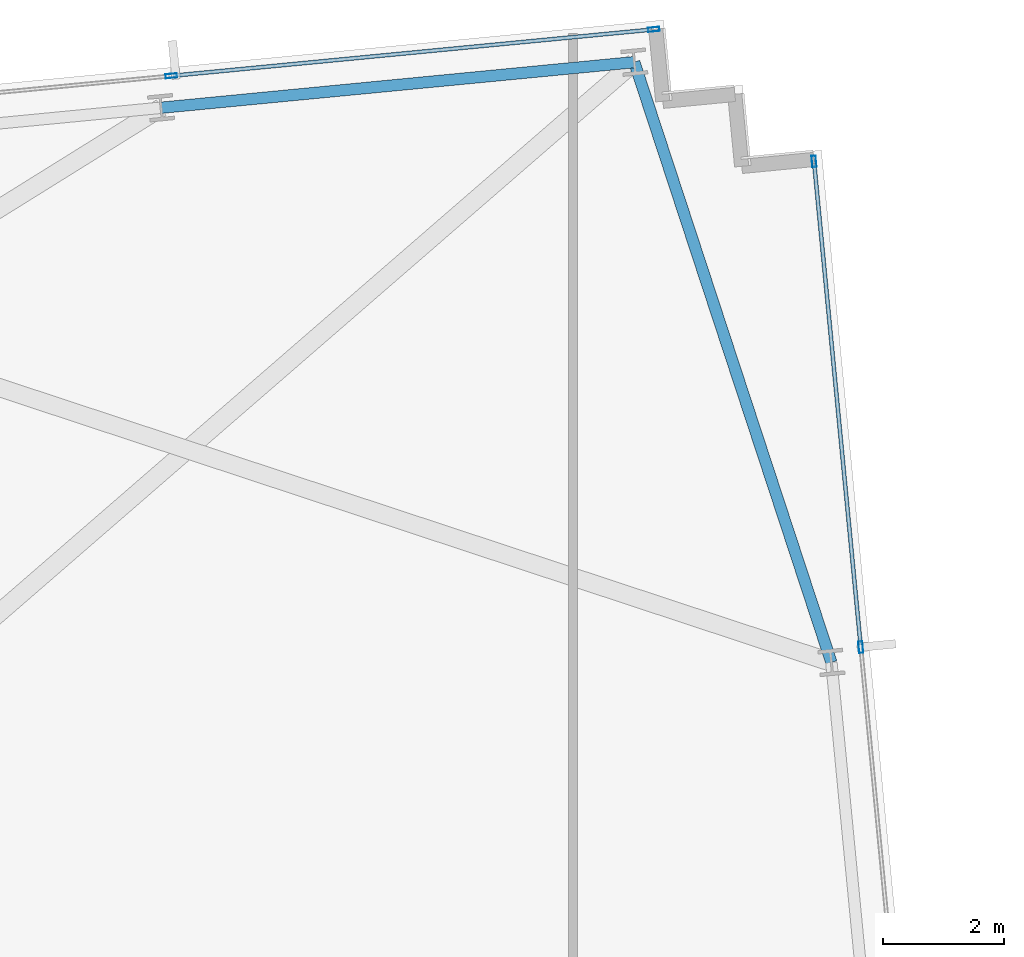
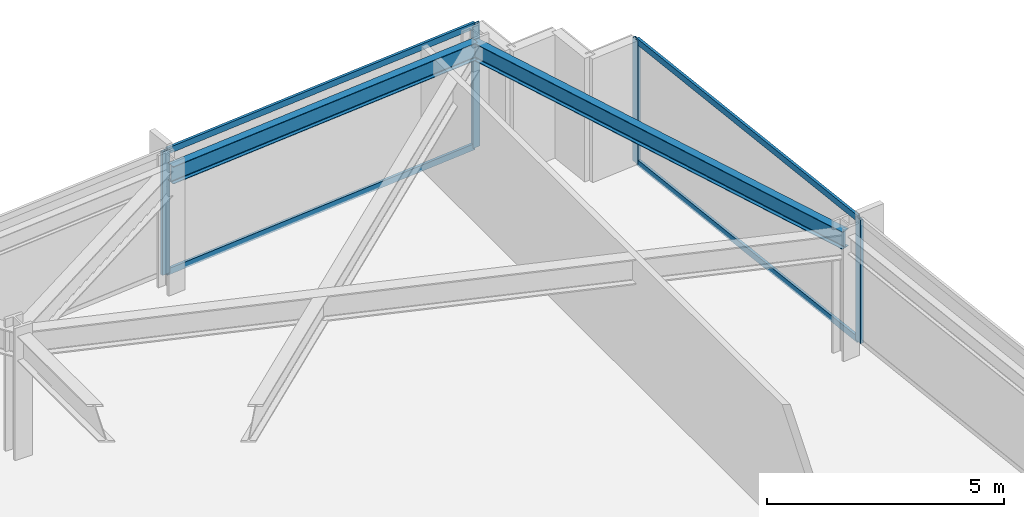
# One storey, part 23 of 33: 8 members, 2 beams, 2 elements without a shape of their own.
"""IFC4 building model written with IfcOpenShell, lengths in metres."""

from ifc_helpers import new_model, si_unit, direction, frame, origin, origin_2d, place, context, subcontext, project, spatial, hollow_rectangle, i_section, extrude, material, material_profile, profile_set, type_object, element, aggregate, save


model = new_model("IFC4")

# Units and contexts
model_context = context("Model", 3, precision=1e-05, world=origin(), true_north=direction((0.0, 1.0)))
body_context = subcontext(model_context, "Body", "Model", "MODEL_VIEW")
ifc_project = project(units=[si_unit("LENGTHUNIT", "METRE"), si_unit("AREAUNIT", "SQUARE_METRE"), si_unit("VOLUMEUNIT", "CUBIC_METRE"), si_unit("PLANEANGLEUNIT", "RADIAN"), si_unit("MASSUNIT", "GRAM", prefix="KILO")], contexts=[model_context])

# Site, building, storey
site_placement = place(None, origin())
site = spatial("IfcSite", under=ifc_project, at=site_placement, CompositionType="ELEMENT")
building_placement = place(site_placement, origin())
building = spatial("IfcBuilding", under=site, at=building_placement, Name="Yelkora Congress Tower", CompositionType="ELEMENT")
storey_placement = place(building_placement, frame((0.0, 0.0, 123.699951171875)))
storey = spatial("IfcBuildingStorey", under=building, at=storey_placement, Name="L33", CompositionType="ELEMENT", Elevation=123.699951171875)

# Beams
ifc_material_1 = material(Name="Steel S355J2", Category="steel")
ifc_material_profile_1 = material_profile(ifc_material_1, i_section(OverallWidth=0.18994140625, OverallDepth=0.449951171875, WebThickness=0.009521484375, FlangeThickness=0.0146484375, FilletRadius=0.02099609375, at=origin_2d()), Name="IPE 450")
ifc_profile_set_1 = profile_set([ifc_material_profile_1], Name="Steel S355J2")
beam_type = type_object("IfcBeamType", Name="BM-SPAN-IPE450", PredefinedType="SPANDREL", material=ifc_profile_set_1)
beam_1_placement = place(storey_placement, frame((74.522216796875, 40.610595703125, 2.955078125), z_axis=(-0.311961656523, 0.950094692575, 0.0), x_axis=(-0.950094692575, -0.311961656523, 0.0)))
element("IfcBeam", 1, at=beam_1_placement, inside=storey, type_object=beam_type, Name="L33 Perimeter Beam 13", PredefinedType="SPANDREL", context=body_context, shape_type="SweptSolid", body=[
    extrude(i_section(OverallWidth=0.18994140625, OverallDepth=0.449951171875, WebThickness=0.009521484375, FlangeThickness=0.0146484375, FilletRadius=0.02099609375, at=origin_2d()), origin(), (0.0, 0.0, 1.0), 10.48046875),
])
beam_2_placement = place(storey_placement, frame((71.252685546875, 50.568115234375, 2.955078125), z_axis=(-0.995392621281, -0.095882894719, 0.0), x_axis=(0.095882894719, -0.995392621281, 0.0)))
element("IfcBeam", 2, at=beam_2_placement, inside=storey, type_object=beam_type, Name="L33 Perimeter Beam 14", PredefinedType="SPANDREL", context=body_context, shape_type="SweptSolid", body=[
    extrude(i_section(OverallWidth=0.18994140625, OverallDepth=0.449951171875, WebThickness=0.009521484375, FlangeThickness=0.0146484375, FilletRadius=0.02099609375, at=origin_2d()), origin(), (0.0, 0.0, 1.0), 7.8857421875),
])

# Curtain wall, members
ifc_material_2 = material(Name="Anodised aluminium and insulated glass", Category="aluminium")
curtain_wall_type = type_object("IfcCurtainWallType", Name="CW-SYS-B2", PredefinedType="NOTDEFINED", material=ifc_material_2)
curtain_wall_1_placement = place(storey_placement, origin())
curtain_wall_1 = element("IfcCurtainWall", 3, at=curtain_wall_1_placement, inside=storey, type_object=curtain_wall_type, Name="L33 Unitised Curtain Wall 10 (3)", PredefinedType="NOTDEFINED")
ifc_material_3 = material(Name="Anodised aluminium 6063-T6", Category="aluminium")
ifc_material_profile_2 = material_profile(ifc_material_3, hollow_rectangle(XDim=0.070068359375, YDim=0.18994140625, WallThickness=0.00390625, at=origin_2d()), Name="ALU 70x190x4")
ifc_profile_set_2 = profile_set([ifc_material_profile_2], Name="Anodised aluminium 6063-T6")
member_type_1 = type_object("IfcMemberType", Name="MEM-ML-B2", PredefinedType="MULLION", material=ifc_profile_set_2)
member_1_placement = place(storey_placement, frame((63.572021484375, 50.3408203125, 0.0), z_axis=(0.0, 0.0, 1.0), x_axis=(-0.095844238468, 0.995396344153, 0.0)))
member_1 = element("IfcMember", 4, at=member_1_placement, type_object=member_type_1, Name="CW-B2 mullion 6", PredefinedType="MULLION", context=body_context, shape_type="SweptSolid", body=[
    extrude(hollow_rectangle(XDim=0.070068359375, YDim=0.18994140625, WallThickness=0.00390625, at=origin_2d()), origin(), (0.0, 0.0, 1.0), 3.179931640625),
])
member_2_placement = place(storey_placement, frame((71.5771484375, 51.111572265625, 0.0), z_axis=(0.0, 0.0, 1.0), x_axis=(-0.095844238468, 0.995396344153, 0.0)))
member_2 = element("IfcMember", 5, at=member_2_placement, type_object=member_type_1, Name="CW-B2 mullion 7", PredefinedType="MULLION", context=body_context, shape_type="SweptSolid", body=[
    extrude(hollow_rectangle(XDim=0.070068359375, YDim=0.18994140625, WallThickness=0.00390625, at=origin_2d()), origin(), (0.0, 0.0, 1.0), 3.179931640625),
])

curtain_wall_2_placement = place(storey_placement, origin())
curtain_wall_2 = element("IfcCurtainWall", 6, at=curtain_wall_2_placement, inside=storey, type_object=curtain_wall_type, Name="L33 Unitised Curtain Wall 15", PredefinedType="NOTDEFINED")
member_3_placement = place(storey_placement, frame((74.234375, 48.921142578125, 0.0), z_axis=(0.0, 0.0, 1.0), x_axis=(0.995396507508, 0.095842541913, 0.0)))
member_3 = element("IfcMember", 7, at=member_3_placement, type_object=member_type_1, Name="CW-B2 mullion 1", PredefinedType="MULLION", context=body_context, shape_type="SweptSolid", body=[
    extrude(hollow_rectangle(XDim=0.070068359375, YDim=0.18994140625, WallThickness=0.00390625, at=origin_2d()), origin(), (0.0, 0.0, 1.0), 3.179931640625),
])
member_4_placement = place(storey_placement, frame((75.010009765625, 40.863525390625, 0.0), z_axis=(0.0, 0.0, 1.0), x_axis=(0.995396507508, 0.095842541913, 0.0)))
member_4 = element("IfcMember", 8, at=member_4_placement, type_object=member_type_1, Name="CW-B2 mullion 2", PredefinedType="MULLION", context=body_context, shape_type="SweptSolid", body=[
    extrude(hollow_rectangle(XDim=0.070068359375, YDim=0.18994140625, WallThickness=0.00390625, at=origin_2d()), origin(), (0.0, 0.0, 1.0), 3.179931640625),
])

# Member
ifc_material_profile_3 = material_profile(ifc_material_3, hollow_rectangle(XDim=0.06494140625, YDim=0.159912109375, WallThickness=0.00390625, at=origin_2d()), Name="ALU 65x160x4")
ifc_profile_set_3 = profile_set([ifc_material_profile_3], Name="Anodised aluminium 6063-T6")
member_type_2 = type_object("IfcMemberType", Name="MEM-TR-B2", PredefinedType="USERDEFINED", material=ifc_profile_set_3)
member_5_placement = place(storey_placement, frame((63.606689453125, 50.343994140625, 0.032470703125), z_axis=(0.995395553311, 0.095852451448, 0.0), x_axis=(-0.095852451448, 0.995395553311, 0.0)))
member_5 = element("IfcMember", 9, at=member_5_placement, type_object=member_type_2, Name="CW-B2 transom 6.1", ObjectType="TRANSOM", PredefinedType="USERDEFINED", context=body_context, shape_type="SweptSolid", body=[
    extrude(hollow_rectangle(XDim=0.06494140625, YDim=0.159912109375, WallThickness=0.00390625, at=origin_2d()), origin(), (0.0, 0.0, 1.0), 7.97216796875),
])

member_6_placement = place(storey_placement, frame((63.606689453125, 50.343994140625, 3.1474609375), z_axis=(0.995395553311, 0.095852451448, 0.0), x_axis=(-0.095852451448, 0.995395553311, 0.0)))
member_6 = element("IfcMember", 10, at=member_6_placement, type_object=member_type_2, Name="CW-B2 transom 6.2", ObjectType="TRANSOM", PredefinedType="USERDEFINED", context=body_context, shape_type="SweptSolid", body=[
    extrude(hollow_rectangle(XDim=0.06494140625, YDim=0.159912109375, WallThickness=0.00390625, at=origin_2d()), origin(), (0.0, 0.0, 1.0), 7.97216796875),
])

aggregate(curtain_wall_1, [member_1, member_2, member_5, member_6])

member_7_placement = place(storey_placement, frame((74.237548828125, 48.88623046875, 0.032470703125), z_axis=(0.095861385662, -0.995394692943, 0.0), x_axis=(0.995394692943, 0.095861385662, 0.0)))
member_7 = element("IfcMember", 11, at=member_7_placement, type_object=member_type_2, Name="CW-B2 transom 1.1", ObjectType="TRANSOM", PredefinedType="USERDEFINED", context=body_context, shape_type="SweptSolid", body=[
    extrude(hollow_rectangle(XDim=0.06494140625, YDim=0.159912109375, WallThickness=0.00390625, at=origin_2d()), origin(), (0.0, 0.0, 1.0), 8.02490234375),
])

member_8_placement = place(storey_placement, frame((74.237548828125, 48.88623046875, 3.1474609375), z_axis=(0.095861385662, -0.995394692943, 0.0), x_axis=(0.995394692943, 0.095861385662, 0.0)))
member_8 = element("IfcMember", 12, at=member_8_placement, type_object=member_type_2, Name="CW-B2 transom 1.2", ObjectType="TRANSOM", PredefinedType="USERDEFINED", context=body_context, shape_type="SweptSolid", body=[
    extrude(hollow_rectangle(XDim=0.06494140625, YDim=0.159912109375, WallThickness=0.00390625, at=origin_2d()), origin(), (0.0, 0.0, 1.0), 8.02490234375),
])

aggregate(curtain_wall_2, [member_3, member_4, member_7, member_8])

save(model, "model.ifc")
